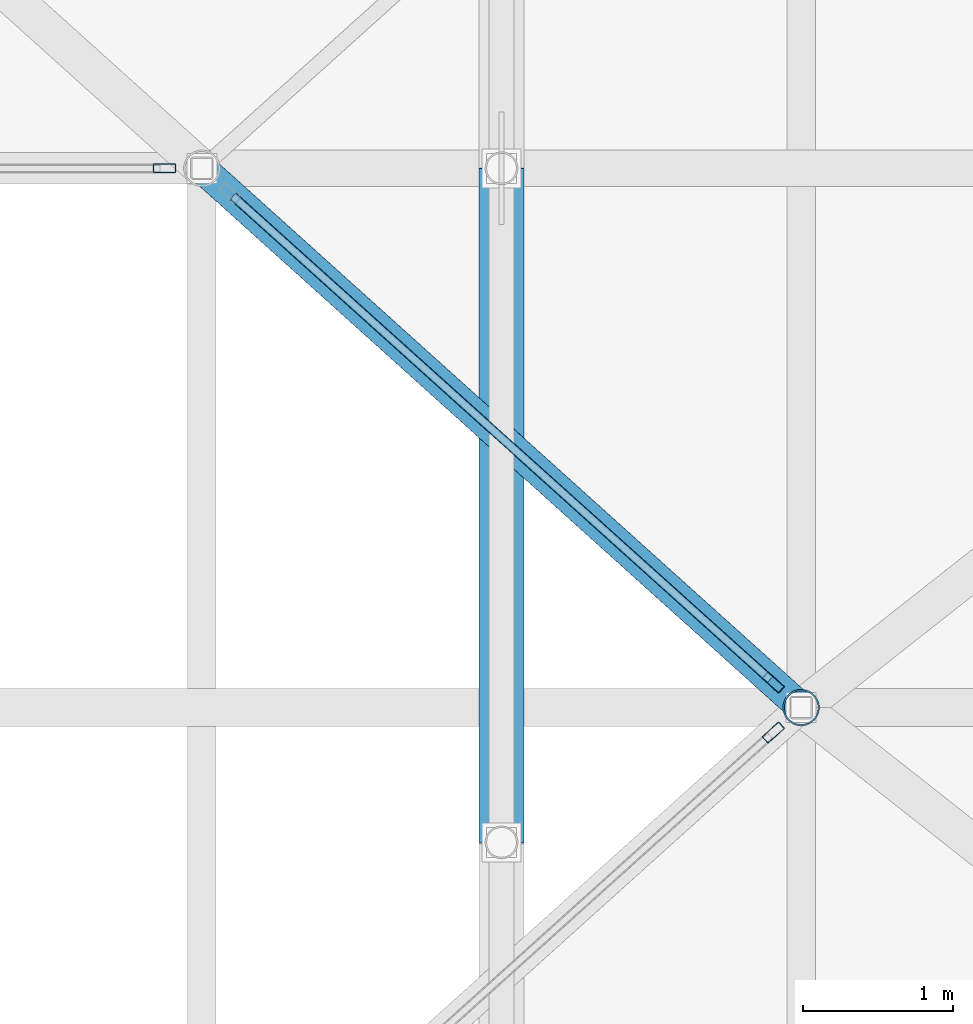
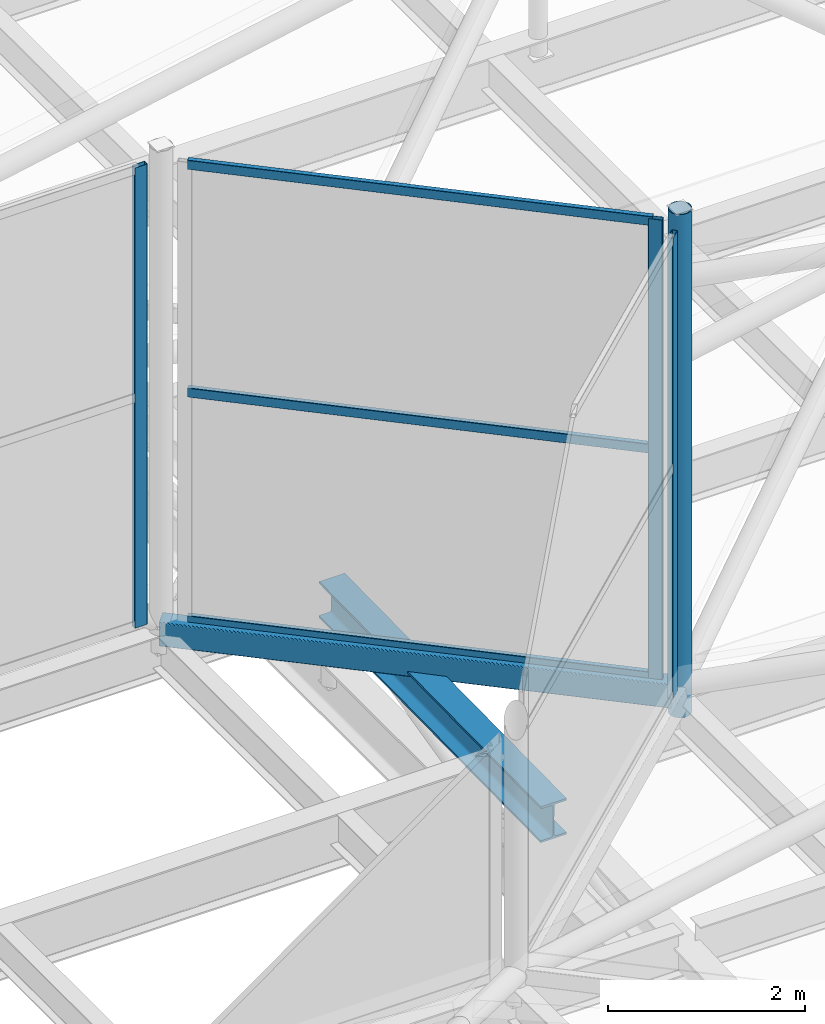
# One storey, part 129 of 239: 7 members, 2 beams, 3 elements without a shape of their own.
"""IFC4 building model written with IfcOpenShell, lengths in metres."""

import ifcopenshell
import ifcopenshell.guid

model = None  # the IFC model being written
_history = None  # IfcOwnerHistory: only IFC2X3 demands one
_inside = {}  # id of a spatial element -> (the spatial element, [elements in it])
_under = {}  # id of a project, library or spatial element -> (it, [spatial elements below it])
_declared = {}  # id of a project -> (the project, [libraries it declares])
_typed = {}  # id of a type object -> (the type object, [elements of that type])
_made_of = {}  # id of a material, layer set ... -> (it, [elements and type objects made of it])


def new_model(schema):
    """Start an empty IFC model of exactly this schema.

    Asked for "IFC4X3", IfcOpenShell would pick the latest addendum, in which some entities
    have other attributes; the version numbers below select the first issue.
    IFC2X3 requires an IfcOwnerHistory on every rooted entity: one is made here for all.
    """
    global model, _history
    if schema == "IFC4X3":
        model = ifcopenshell.file(schema_version=(4, 3, 0, 0))
    else:
        model = ifcopenshell.file(schema=schema)
    _inside.clear()
    _under.clear()
    _declared.clear()
    _typed.clear()
    _made_of.clear()
    _history = None
    if model.schema == "IFC2X3":
        org = make("IfcOrganization", Name="unknown")
        user = make(
            "IfcPersonAndOrganization",
            ThePerson=make("IfcPerson", FamilyName="unknown"),
            TheOrganization=org,
        )
        app = make(
            "IfcApplication",
            ApplicationDeveloper=org,
            Version="unknown",
            ApplicationFullName="unknown",
            ApplicationIdentifier="unknown",
        )
        _history = make(
            "IfcOwnerHistory",
            OwningUser=user,
            OwningApplication=app,
            ChangeAction="ADDED",
            CreationDate=0,
        )
    return model


def make(cls, **values):
    """One entity of the class cls with the attributes given. An attribute that is None is left unset."""
    return model.create_entity(
        cls, **{name: value for name, value in values.items() if value is not None}
    )


def rooted(cls, **values):
    """An entity with a GlobalId (a new one), such as an element, a storey or a relation."""
    return make(cls, GlobalId=ifcopenshell.guid.new(), OwnerHistory=_history, **values)


def si_unit(unit_type, name, prefix=None):
    """IfcSIUnit, for example si_unit("LENGTHUNIT", "METRE", prefix="MILLI")."""
    return make("IfcSIUnit", UnitType=unit_type, Prefix=prefix, Name=name)


def assignment(units):
    """IfcUnitAssignment: the units of a project."""
    return None if units is None else make("IfcUnitAssignment", Units=units)


def point(xyz):
    """IfcCartesianPoint."""
    return None if xyz is None else make("IfcCartesianPoint", Coordinates=xyz)


def direction(xyz):
    """IfcDirection."""
    return None if xyz is None else make("IfcDirection", DirectionRatios=xyz)


def frame(location, z_axis=None, x_axis=None):
    """IfcAxis2Placement3D, a coordinate frame: its origin and axes. An axis left out is left unset."""
    return make(
        "IfcAxis2Placement3D",
        Location=point(location),
        Axis=direction(z_axis),
        RefDirection=direction(x_axis),
    )


def frame_2d(location, x_axis=None):
    """IfcAxis2Placement2D, a coordinate frame in the plane: its origin and x axis."""
    return make(
        "IfcAxis2Placement2D", Location=point(location), RefDirection=direction(x_axis)
    )


def origin():
    """The frame at (0, 0, 0) with its axes left unset."""
    return frame((0.0, 0.0, 0.0))


def origin_2d():
    """The frame at (0, 0) in the plane with its x axis left unset."""
    return frame_2d((0.0, 0.0))


def place(relative_to, where):
    """IfcLocalPlacement: puts the frame where relative to a parent placement (None: the world)."""
    return make(
        "IfcLocalPlacement", PlacementRelTo=relative_to, RelativePlacement=where
    )


def context(
    kind, dimensions, precision=None, world=None, true_north=None, identifier=None
):
    """IfcGeometricRepresentationContext, for example the 3D "Model" context."""
    return make(
        "IfcGeometricRepresentationContext",
        ContextIdentifier=identifier,
        ContextType=kind,
        CoordinateSpaceDimension=dimensions,
        Precision=precision,
        WorldCoordinateSystem=world,
        TrueNorth=true_north,
    )


def subcontext(parent, identifier, kind, view, scale=None):
    """IfcGeometricRepresentationSubContext, for example "Body" below "Model"."""
    return make(
        "IfcGeometricRepresentationSubContext",
        ContextIdentifier=identifier,
        ContextType=kind,
        ParentContext=parent,
        TargetScale=scale,
        TargetView=view,
    )


def project(units=None, contexts=None):
    """IfcProject with its units and contexts."""
    return rooted(
        "IfcProject",
        Name="project",
        RepresentationContexts=contexts,
        UnitsInContext=assignment(units),
    )


def spatial(cls, under=None, at=None, **own):
    """A site, building, storey or space (cls), placed at a placement, below another one or the project."""
    s = rooted(cls, ObjectPlacement=at, **own)
    if under is not None:
        _under.setdefault(under.id(), (under, []))[1].append(s)
    return s


def profile(cls, at=None, kind="AREA", **sizes):
    """A parametric profile (cls). Its sizes go by their IFC names, for example OverallWidth=200.0."""
    return make(cls, ProfileType=kind, Position=at, **sizes)


def hollow_rectangle(**sizes):
    """IfcRectangleHollowProfileDef."""
    return profile("IfcRectangleHollowProfileDef", **sizes)


def hollow_circle(**sizes):
    """IfcCircleHollowProfileDef."""
    return profile("IfcCircleHollowProfileDef", **sizes)


def i_section(**sizes):
    """IfcIShapeProfileDef."""
    return profile("IfcIShapeProfileDef", **sizes)


def extrude(swept, where, along, depth):
    """IfcExtrudedAreaSolid: the profile swept, set in the frame where, extruded along a direction by depth."""
    return make(
        "IfcExtrudedAreaSolid",
        SweptArea=swept,
        Position=where,
        ExtrudedDirection=direction(along),
        Depth=depth,
    )


def shape(context_of_items, identifier, shape_type, items):
    """IfcShapeRepresentation: the items that make up one representation, for example the "Body"."""
    return make(
        "IfcShapeRepresentation",
        ContextOfItems=context_of_items,
        RepresentationIdentifier=identifier,
        RepresentationType=shape_type,
        Items=items,
    )


def material(Name=None, Category=None):
    """IfcMaterial."""
    return make("IfcMaterial", Name=Name, Category=Category)


def layer(
    of_material, thickness, ventilated=None, Name=None, Category=None, Priority=None
):
    """IfcMaterialLayer: one layer of a wall or slab, of a material (None: an air gap)."""
    return make(
        "IfcMaterialLayer",
        Material=of_material,
        LayerThickness=thickness,
        IsVentilated=ventilated,
        Name=Name,
        Category=Category,
        Priority=Priority,
    )


def layer_set(layers, Name=None):
    """IfcMaterialLayerSet."""
    return make("IfcMaterialLayerSet", MaterialLayers=layers, LayerSetName=Name)


def material_profile(
    of_material, cross_section, Name=None, Category=None, Priority=None
):
    """IfcMaterialProfile: a cross section and its material."""
    return make(
        "IfcMaterialProfile",
        Name=Name,
        Material=of_material,
        Profile=cross_section,
        Priority=Priority,
        Category=Category,
    )


def profile_set(profiles, Name=None, composite=None):
    """IfcMaterialProfileSet."""
    return make(
        "IfcMaterialProfileSet",
        Name=Name,
        MaterialProfiles=profiles,
        CompositeProfile=composite,
    )


def made_of(thing, what):
    """Note that an element or type object is made of a material, layer set ...; save() writes the relation."""
    if what is not None:
        _made_of.setdefault(what.id(), (what, []))[1].append(thing)
    return thing


def type_object(cls, material=None, **own):
    """A type object (cls), such as IfcWallType, which elements share."""
    return made_of(rooted(cls, **own), material)


def element(
    cls,
    number,
    at=None,
    inside=None,
    cuts=None,
    type_object=None,
    material=None,
    context=None,
    identifier="Body",
    shape_type=None,
    held_by="IfcProductDefinitionShape",
    body=None,
    shapes=None,
    **own,
):
    """One element of the class cls, such as IfcWall. Its Tag is "e" and its number.

    at: its placement. inside: the storey or other place that contains it. cuts: it is an
    opening in that element (IfcRelVoidsElement). A single representation is given by context,
    identifier, shape_type and body (its items); several are given by shapes. held_by: the class
    of the entity that holds the representations. save() writes the other relations.
    """
    e = rooted(cls, Tag="e%d" % number, ObjectPlacement=at, **own)
    if body is not None:
        shapes = [shape(context, identifier, shape_type, body)]
    if shapes is not None:
        e.Representation = make(held_by, Representations=shapes)
    if inside is not None:
        _inside.setdefault(inside.id(), (inside, []))[1].append(e)
    if cuts is not None:
        rooted(
            "IfcRelVoidsElement", RelatingBuildingElement=cuts, RelatedOpeningElement=e
        )
    if type_object is not None:
        _typed.setdefault(type_object.id(), (type_object, []))[1].append(e)
    return made_of(e, material)


def aggregate(whole, parts):
    """IfcRelAggregates: a whole, such as a stair, and the parts it consists of."""
    return rooted("IfcRelAggregates", RelatingObject=whole, RelatedObjects=parts)


def save(model, path):
    """Write the relations noted so far, then the file.

    IfcRelAggregates (storeys below a building ...), IfcRelContainedInSpatialStructure (elements
    in a storey), IfcRelDefinesByType, IfcRelAssociatesMaterial and IfcRelDeclares: one each for
    every whole, place, type object, material and project.
    """
    for whole, parts in _under.values():
        aggregate(whole, parts)
    for where, things in _inside.values():
        rooted(
            "IfcRelContainedInSpatialStructure",
            RelatedElements=things,
            RelatingStructure=where,
        )
    for kind, things in _typed.values():
        rooted("IfcRelDefinesByType", RelatedObjects=things, RelatingType=kind)
    for what, things in _made_of.values():
        rooted("IfcRelAssociatesMaterial", RelatedObjects=things, RelatingMaterial=what)
    for by, libraries in _declared.values():
        rooted("IfcRelDeclares", RelatingContext=by, RelatedDefinitions=libraries)
    model.write(path)


model = new_model("IFC4")

# Units and contexts
model_context = context("Model", 3, precision=1e-05, world=origin(), true_north=direction((0.0, 1.0)))
body_context = subcontext(model_context, "Body", "Model", "MODEL_VIEW")
ifc_project = project(units=[si_unit("LENGTHUNIT", "METRE"), si_unit("AREAUNIT", "SQUARE_METRE"), si_unit("VOLUMEUNIT", "CUBIC_METRE"), si_unit("PLANEANGLEUNIT", "RADIAN"), si_unit("MASSUNIT", "GRAM", prefix="KILO")], contexts=[model_context])

# Site, building, storey
site_placement = place(None, origin())
site = spatial("IfcSite", under=ifc_project, at=site_placement, CompositionType="ELEMENT")
building_placement = place(site_placement, origin())
building = spatial("IfcBuilding", under=site, at=building_placement, Name="Dunvalen Ferry Terminal", CompositionType="ELEMENT")
storey_placement = place(building_placement, frame((0.0, 0.0, 9.840087890625)))
storey = spatial("IfcBuildingStorey", under=building, at=storey_placement, Name="L02", CompositionType="ELEMENT", Elevation=9.840087890625)

# Curtain wall, member
ifc_material_1 = material(Name="Anodised marine aluminium and solar-control glazing", Category="aluminium")
ifc_layer_1 = layer(ifc_material_1, 0.179931640625, Name="Anodised marine aluminium and solar-control glazing")
ifc_layer_set_1 = layer_set([ifc_layer_1], Name="Anodised marine aluminium and solar-control glazing")
curtain_wall_type_1 = type_object("IfcCurtainWallType", Name="ENV-CW-SYS-05", PredefinedType="NOTDEFINED", material=ifc_layer_set_1)
curtain_wall_1_placement = place(storey_placement, origin())
curtain_wall_1 = element("IfcCurtainWall", 1, at=curtain_wall_1_placement, inside=storey, type_object=curtain_wall_type_1, Name="L02 Curtain Wall CW-HEX-36-SK-3", PredefinedType="NOTDEFINED")
ifc_material_2 = material(Name="Anodised marine aluminium EN AW-6063 T6", Category="aluminium")
ifc_material_profile_1 = material_profile(ifc_material_2, hollow_rectangle(XDim=0.06005859375, YDim=0.14990234375, WallThickness=0.00341796875, InnerFilletRadius=0.00341796875, OuterFilletRadius=0.007080078125, at=origin_2d()), Name="Anodised marine aluminium EN AW-6063 T6")
ifc_profile_set_1 = profile_set([ifc_material_profile_1], Name="Anodised marine aluminium EN AW-6063 T6")
member_type_1 = type_object("IfcMemberType", Name="ENV-CW-MUL-3", PredefinedType="MULLION", material=ifc_profile_set_1)
member_1_placement = place(storey_placement, frame((85.814208984375, 64.6328125, 1.139892578125), z_axis=(0.0, 0.0, 1.0), x_axis=(-0.668953550894, 0.74330420875, 0.0)))
member_1 = element("IfcMember", 2, at=member_1_placement, type_object=member_type_1, Name="CW-05 mullion 2", PredefinedType="MULLION", context=body_context, shape_type="SweptSolid", body=[
    extrude(hollow_rectangle(XDim=0.06005859375, YDim=0.14990234375, WallThickness=0.00341796875, InnerFilletRadius=0.00341796875, OuterFilletRadius=0.007080078125, at=origin_2d()), origin(), (0.0, 0.0, 1.0), 5.699951171875),
])
aggregate(curtain_wall_1, [member_1])

ifc_layer_2 = layer(ifc_material_1, 0.179931640625, Name="Anodised marine aluminium and solar-control glazing")
ifc_layer_set_2 = layer_set([ifc_layer_2], Name="Anodised marine aluminium and solar-control glazing")
curtain_wall_type_2 = type_object("IfcCurtainWallType", Name="ENV-CW-SYS-06", PredefinedType="NOTDEFINED", material=ifc_layer_set_2)
curtain_wall_2_placement = place(storey_placement, origin())
curtain_wall_2 = element("IfcCurtainWall", 3, at=curtain_wall_2_placement, inside=storey, type_object=curtain_wall_type_2, Name="L02 Curtain Wall CW-HEX-36-SK-4", PredefinedType="NOTDEFINED")
member_2_placement = place(storey_placement, frame((85.814208984375, 64.96728515625, 1.139892578125), z_axis=(0.0, 0.0, 1.0), x_axis=(-0.668953550894, -0.74330420875, 0.0)))
member_2 = element("IfcMember", 4, at=member_2_placement, type_object=member_type_1, Name="CW-06 mullion 1", PredefinedType="MULLION", context=body_context, shape_type="SweptSolid", body=[
    extrude(hollow_rectangle(XDim=0.06005859375, YDim=0.14990234375, WallThickness=0.00341796875, InnerFilletRadius=0.00341796875, OuterFilletRadius=0.007080078125, at=origin_2d()), origin(), (0.0, 0.0, 1.0), 5.699951171875),
])

curtain_wall_3_placement = place(storey_placement, origin())
curtain_wall_3 = element("IfcCurtainWall", 5, at=curtain_wall_3_placement, inside=storey, type_object=curtain_wall_type_1, Name="L02 Curtain Wall CW-HEX-36-SK-5", PredefinedType="NOTDEFINED")
member_3_placement = place(storey_placement, frame((81.75, 68.39990234375, 1.139892578125), z_axis=(0.0, 0.0, 1.0), x_axis=(0.0, -1.0, 0.0)))
member_3 = element("IfcMember", 6, at=member_3_placement, type_object=member_type_1, Name="CW-05 mullion 1", PredefinedType="MULLION", context=body_context, shape_type="SweptSolid", body=[
    extrude(hollow_rectangle(XDim=0.06005859375, YDim=0.14990234375, WallThickness=0.00341796875, InnerFilletRadius=0.00341796875, OuterFilletRadius=0.007080078125, at=origin_2d()), origin(), (0.0, 0.0, 1.0), 5.699951171875),
])
aggregate(curtain_wall_3, [member_3])

# Member
ifc_material_profile_2 = material_profile(ifc_material_2, hollow_rectangle(XDim=0.06005859375, YDim=0.114990234375, WallThickness=0.0029296875, InnerFilletRadius=0.0029296875, OuterFilletRadius=0.006103515625, at=origin_2d()), Name="Anodised marine aluminium EN AW-6063 T6")
ifc_profile_set_2 = profile_set([ifc_material_profile_2], Name="Anodised marine aluminium EN AW-6063 T6")
member_type_2 = type_object("IfcMemberType", Name="ENV-CW-TRN-3", PredefinedType="USERDEFINED", material=ifc_profile_set_2)
member_4_placement = place(storey_placement, frame((85.7919921875, 64.9873046875, 1.169921875), z_axis=(-0.743319323261, 0.668936756104, 0.0), x_axis=(-0.668936756104, -0.743319323261, 0.0)))
member_4 = element("IfcMember", 7, at=member_4_placement, type_object=member_type_2, Name="CW-06 transom 1.1", ObjectType="TRANSOM", PredefinedType="USERDEFINED", context=body_context, shape_type="SweptSolid", body=[
    extrude(hollow_rectangle(XDim=0.06005859375, YDim=0.114990234375, WallThickness=0.0029296875, InnerFilletRadius=0.0029296875, OuterFilletRadius=0.006103515625, at=origin_2d()), origin(), (0.0, 0.0, 1.0), 4.821533203125),
])

member_5_placement = place(storey_placement, frame((85.7919921875, 64.9873046875, 3.989990234375), z_axis=(-0.743319323261, 0.668936756104, 0.0), x_axis=(-0.668936756104, -0.743319323261, 0.0)))
member_5 = element("IfcMember", 8, at=member_5_placement, type_object=member_type_2, Name="CW-06 transom 1.2", ObjectType="TRANSOM", PredefinedType="USERDEFINED", context=body_context, shape_type="SweptSolid", body=[
    extrude(hollow_rectangle(XDim=0.06005859375, YDim=0.114990234375, WallThickness=0.0029296875, InnerFilletRadius=0.0029296875, OuterFilletRadius=0.006103515625, at=origin_2d()), origin(), (0.0, 0.0, 1.0), 4.821533203125),
])

member_6_placement = place(storey_placement, frame((85.7919921875, 64.9873046875, 6.809814453125), z_axis=(-0.743319323261, 0.668936756104, 0.0), x_axis=(-0.668936756104, -0.743319323261, 0.0)))
member_6 = element("IfcMember", 9, at=member_6_placement, type_object=member_type_2, Name="CW-06 transom 1.3", ObjectType="TRANSOM", PredefinedType="USERDEFINED", context=body_context, shape_type="SweptSolid", body=[
    extrude(hollow_rectangle(XDim=0.06005859375, YDim=0.114990234375, WallThickness=0.0029296875, InnerFilletRadius=0.0029296875, OuterFilletRadius=0.006103515625, at=origin_2d()), origin(), (0.0, 0.0, 1.0), 4.821533203125),
])

aggregate(curtain_wall_2, [member_2, member_4, member_5, member_6])

# Beams
ifc_material_3 = material(Name="Steel S355", Category="steel")
ifc_material_profile_3 = material_profile(ifc_material_3, i_section(OverallWidth=0.300048828125, OverallDepth=0.449951171875, WebThickness=0.013916015625, FlangeThickness=0.02587890625, FilletRadius=0.027099609375, at=origin_2d()), Name="Steel S355")
ifc_profile_set_3 = profile_set([ifc_material_profile_3], Name="Steel S355")
beam_type_1 = type_object("IfcBeamType", Name="STR-BM-HEB450", PredefinedType="BEAM", material=ifc_profile_set_3)
beam_1_placement = place(storey_placement, frame((84.0, 63.89990234375, 0.65869140625), z_axis=(0.0, 0.999907293085, 0.01361635908), x_axis=(-1.0, 0.0, 0.0)))
element("IfcBeam", 10, at=beam_1_placement, inside=storey, type_object=beam_type_1, Name="Departure Hall Tied-Arch Rib 07.4", PredefinedType="BEAM", context=body_context, shape_type="SweptSolid", body=[
    extrude(i_section(OverallWidth=0.300048828125, OverallDepth=0.449951171875, WebThickness=0.013916015625, FlangeThickness=0.02587890625, FilletRadius=0.027099609375, at=origin_2d()), origin(), (0.0, 0.0, 1.0), 4.50048828125),
])
ifc_material_profile_4 = material_profile(ifc_material_3, hollow_rectangle(XDim=0.199951171875, YDim=0.300048828125, WallThickness=0.010009765625, InnerFilletRadius=0.010009765625, OuterFilletRadius=0.02001953125, at=origin_2d()), Name="Steel S355")
ifc_profile_set_4 = profile_set([ifc_material_profile_4], Name="Steel S355")
beam_type_2 = type_object("IfcBeamType", Name="STR-BM-RHS300", PredefinedType="BEAM", material=ifc_profile_set_4)
beam_2_placement = place(storey_placement, frame((86.0, 64.800048828125, 1.0), z_axis=(-0.74330768127, 0.668949692402, 0.0), x_axis=(-0.668949692402, -0.74330768127, 0.0)))
element("IfcBeam", 11, at=beam_2_placement, inside=storey, type_object=beam_type_2, Name="HEX-36 Lantern Curb Ring Beam 4", PredefinedType="BEAM", context=body_context, shape_type="SweptSolid", body=[
    extrude(hollow_rectangle(XDim=0.199951171875, YDim=0.300048828125, WallThickness=0.010009765625, InnerFilletRadius=0.010009765625, OuterFilletRadius=0.02001953125, at=origin_2d()), origin(), (0.0, 0.0, 1.0), 5.38134765625),
])

# Member
ifc_material_profile_5 = material_profile(ifc_material_3, hollow_circle(Radius=0.122314453125, WallThickness=0.010009765625, at=origin_2d()), Name="Steel S355")
ifc_profile_set_5 = profile_set([ifc_material_profile_5], Name="Steel S355")
member_type_3 = type_object("IfcMemberType", Name="STR-MB-CHS244", PredefinedType="STRUT", material=ifc_profile_set_5)
member_7_placement = place(storey_placement, frame((86.0, 64.800048828125, 0.77001953125), z_axis=(0.0, 0.0, 1.0), x_axis=(1.0, 0.0, 0.0)))
element("IfcMember", 12, at=member_7_placement, inside=storey, type_object=member_type_3, Name="HEX-36 Skylight Lantern Corner Strut 4", PredefinedType="STRUT", context=body_context, shape_type="SweptSolid", body=[
    extrude(hollow_circle(Radius=0.122314453125, WallThickness=0.010009765625, at=origin_2d()), origin(), (0.0, 0.0, 1.0), 6.22998046875),
])

save(model, "model.ifc")
